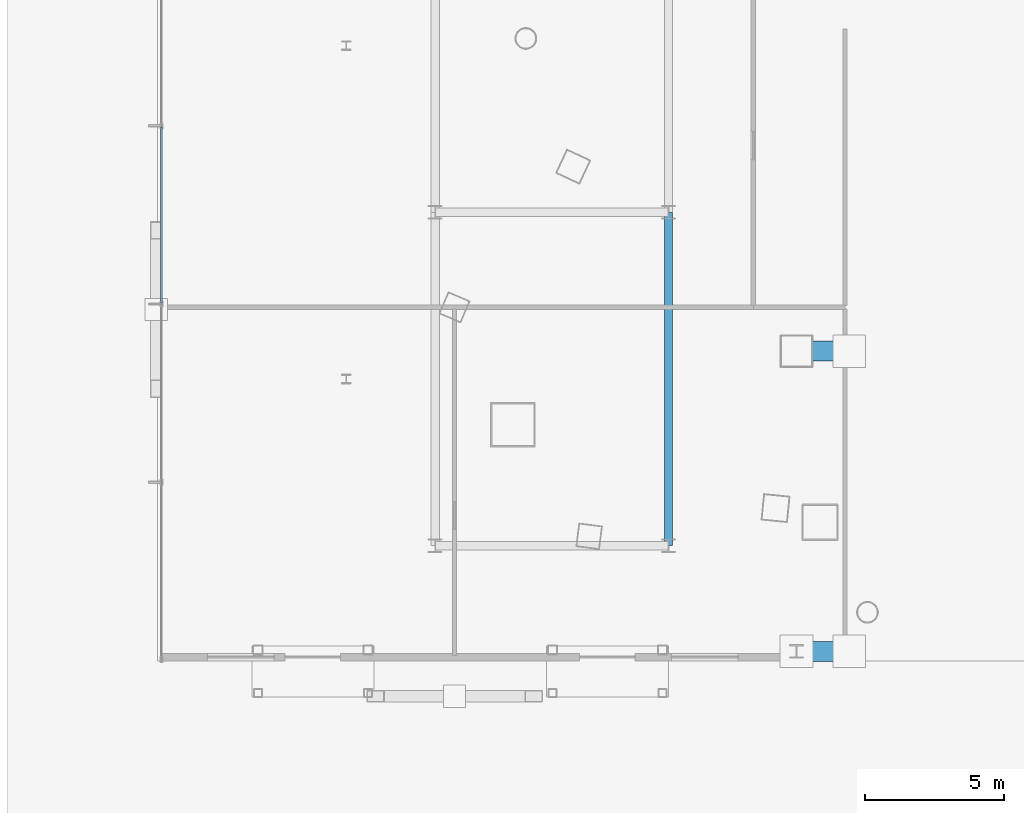
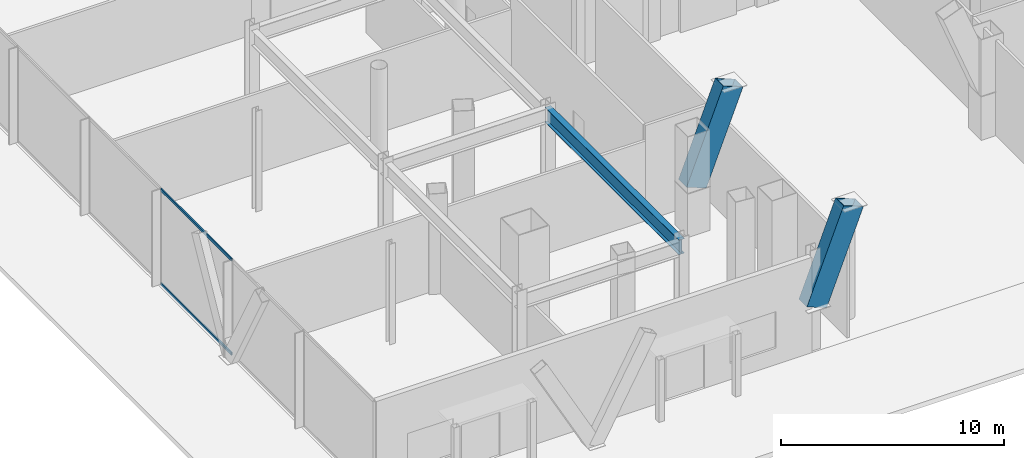
# One storey, part 8 of 38: 4 members, 1 beam, 1 element without a shape of its own.
"""IFC4 building model written with IfcOpenShell, lengths in metres."""

from ifc_helpers import new_model, si_unit, direction, frame, origin, origin_2d, place, context, subcontext, project, spatial, hollow_rectangle, i_section, extrude, material, layer, layer_set, material_profile, profile_set, type_object, element, aggregate, save


model = new_model("IFC4")

# Units and contexts
model_context = context("Model", 3, precision=1e-05, world=origin(), true_north=direction((0.0, 1.0)))
body_context = subcontext(model_context, "Body", "Model", "MODEL_VIEW")
ifc_project = project(units=[si_unit("LENGTHUNIT", "METRE"), si_unit("AREAUNIT", "SQUARE_METRE"), si_unit("VOLUMEUNIT", "CUBIC_METRE"), si_unit("PLANEANGLEUNIT", "RADIAN"), si_unit("MASSUNIT", "GRAM", prefix="KILO")], contexts=[model_context])

# Site, building, storey
site_placement = place(None, origin())
site = spatial("IfcSite", under=ifc_project, at=site_placement, CompositionType="ELEMENT")
building_placement = place(site_placement, origin())
building = spatial("IfcBuilding", under=site, at=building_placement, Name="Orvanel Arch Residences", CompositionType="ELEMENT")
storey_placement = place(building_placement, origin())
storey = spatial("IfcBuildingStorey", under=building, at=storey_placement, Name="L00", CompositionType="ELEMENT", Elevation=0.0)

# Members
ifc_material_1 = material(Name="Structural steel AS/NZS 3678 Grade 350", Category="steel")
ifc_material_profile_1 = material_profile(ifc_material_1, hollow_rectangle(XDim=0.719970703125, YDim=1.10009765625, WallThickness=0.035888671875, at=origin_2d()), Name="BOX1100x720x36")
ifc_profile_set_1 = profile_set([ifc_material_profile_1], Name="Structural steel AS/NZS 3678 Grade 350")
member_type_1 = type_object("IfcMemberType", Name="AR-1100BOX", PredefinedType="USERDEFINED", material=ifc_profile_set_1)
member_1_placement = place(storey_placement, frame((24.39990234375, 13.0, 2.39990234375), z_axis=(0.362957061828, 0.0, 0.931805865655), x_axis=(0.0, 1.0, 0.0)))
element("IfcMember", 1, at=member_1_placement, inside=storey, type_object=member_type_1, Name="Monumental Podium Arch Rib MID Segment 1", ObjectType="ARCH_SEGMENT", PredefinedType="USERDEFINED", context=body_context, shape_type="SweptSolid", body=[
    extrude(hollow_rectangle(XDim=0.719970703125, YDim=1.10009765625, WallThickness=0.035888671875, at=origin_2d()), origin(), (0.0, 0.0, 1.0), 5.235107421875),
])
ifc_material_profile_2 = material_profile(ifc_material_1, hollow_rectangle(XDim=0.719970703125, YDim=1.10009765625, WallThickness=0.035888671875, at=origin_2d()), Name="BOX1100x720x36")
ifc_profile_set_2 = profile_set([ifc_material_profile_2], Name="Structural steel AS/NZS 3678 Grade 350")
member_type_2 = type_object("IfcMemberType", Name="AR-1100BOX-EXT", PredefinedType="USERDEFINED", material=ifc_profile_set_2)
member_2_placement = place(storey_placement, frame((24.39990234375, 2.199951171875, 2.39990234375), z_axis=(0.362957061828, 0.0, 0.931805865655), x_axis=(0.0, 1.0, 0.0)))
element("IfcMember", 2, at=member_2_placement, inside=storey, type_object=member_type_2, Name="Monumental Podium Arch Rib SOUTH Segment 1", ObjectType="ARCH_SEGMENT", PredefinedType="USERDEFINED", context=body_context, shape_type="SweptSolid", body=[
    extrude(hollow_rectangle(XDim=0.719970703125, YDim=1.10009765625, WallThickness=0.035888671875, at=origin_2d()), origin(), (0.0, 0.0, 1.0), 5.235107421875),
])

# Beam
ifc_material_profile_3 = material_profile(ifc_material_1, i_section(OverallWidth=0.300048828125, OverallDepth=0.81591796875, WebThickness=0.013916015625, FlangeThickness=0.02392578125, at=origin_2d()), Name="800WB192")
ifc_profile_set_3 = profile_set([ifc_material_profile_3], Name="Structural steel AS/NZS 3678 Grade 350")
beam_type = type_object("IfcBeamType", Name="BG-800WB", PredefinedType="BEAM", material=ifc_profile_set_3)
beam_placement = place(storey_placement, frame((19.800048828125, 6.0, 4.81201171875), z_axis=(0.0, 1.0, 0.0), x_axis=(-1.0, 0.0, 0.0)))
element("IfcBeam", 3, at=beam_placement, inside=storey, type_object=beam_type, Name="L00 North-South Podium Girder XW20-S", PredefinedType="BEAM", context=body_context, shape_type="SweptSolid", body=[
    extrude(i_section(OverallWidth=0.300048828125, OverallDepth=0.81591796875, WebThickness=0.013916015625, FlangeThickness=0.02392578125, at=origin_2d()), origin(), (0.0, 0.0, 1.0), 12.0),
])

# Curtain wall, members
ifc_material_2 = material(Name="Bronze-anodised aluminium AA6063-T6", Category="aluminium")
ifc_layer = layer(ifc_material_2, 0.199951171875)
ifc_layer_set = layer_set([ifc_layer], Name="Bronze-anodised aluminium AA6063-T6")
curtain_wall_type = type_object("IfcCurtainWallType", Name="CW1-POD-SYS", PredefinedType="NOTDEFINED", material=ifc_layer_set)
curtain_wall_placement = place(storey_placement, origin())
curtain_wall = element("IfcCurtainWall", 4, at=curtain_wall_placement, inside=storey, type_object=curtain_wall_type, Name="L00 CW1-POD-SYS Unitised Curtain Wall", PredefinedType="NOTDEFINED")
ifc_material_profile_4 = material_profile(ifc_material_2, hollow_rectangle(XDim=0.06494140625, YDim=0.14990234375, WallThickness=0.00390625, at=origin_2d()), Name="ALU150x65x4")
ifc_profile_set_4 = profile_set([ifc_material_profile_4], Name="Bronze-anodised aluminium AA6063-T6")
member_type_3 = type_object("IfcMemberType", Name="TRN-150x65", PredefinedType="USERDEFINED", material=ifc_profile_set_4)
member_3_placement = place(storey_placement, frame((1.550048828125, 21.07373046875, 0.032470703125), z_axis=(0.0, -1.0, 0.0), x_axis=(1.0, 0.0, 0.0)))
member_3 = element("IfcMember", 5, at=member_3_placement, type_object=member_type_3, Name="CW-S1 transom 6.1", ObjectType="TRANSOM", PredefinedType="USERDEFINED", context=body_context, shape_type="SweptSolid", body=[
    extrude(hollow_rectangle(XDim=0.06494140625, YDim=0.14990234375, WallThickness=0.00390625, at=origin_2d()), origin(), (0.0, 0.0, 1.0), 6.338623046875),
])
member_4_placement = place(storey_placement, frame((1.550048828125, 21.07373046875, 5.1875), z_axis=(0.0, -1.0, 0.0), x_axis=(1.0, 0.0, 0.0)))
member_4 = element("IfcMember", 6, at=member_4_placement, type_object=member_type_3, Name="CW-S1 transom 6.2", ObjectType="TRANSOM", PredefinedType="USERDEFINED", context=body_context, shape_type="SweptSolid", body=[
    extrude(hollow_rectangle(XDim=0.06494140625, YDim=0.14990234375, WallThickness=0.00390625, at=origin_2d()), origin(), (0.0, 0.0, 1.0), 6.338623046875),
])
aggregate(curtain_wall, [member_3, member_4])

save(model, "model.ifc")
